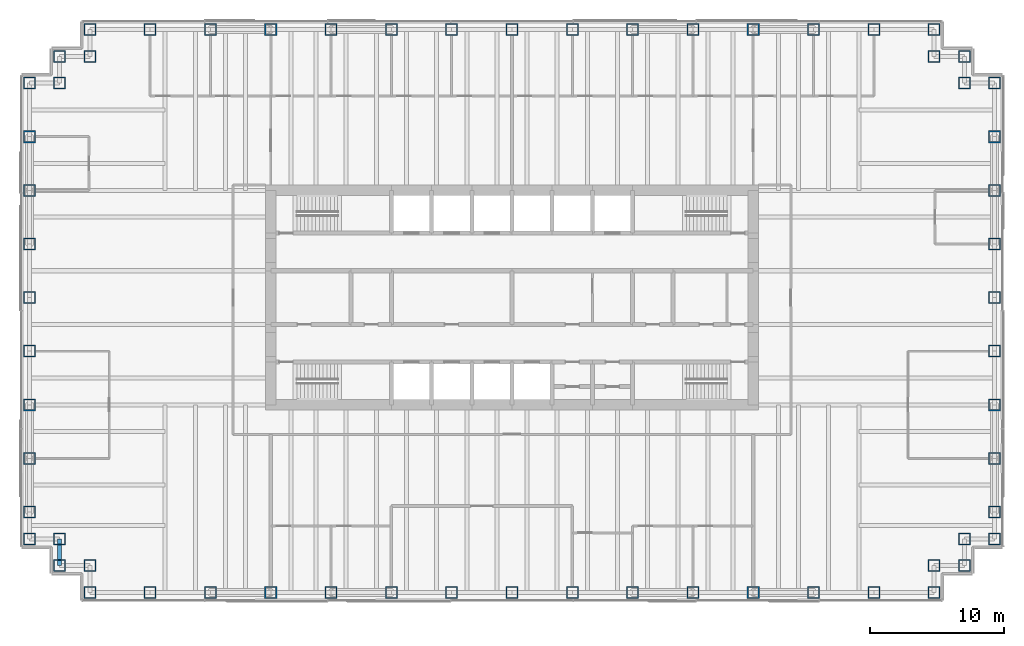
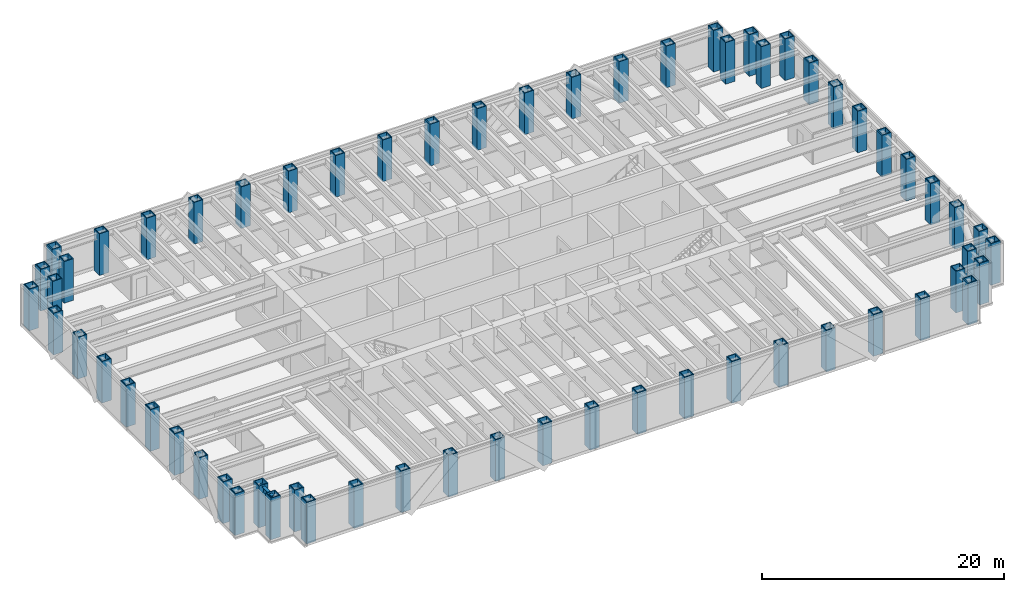
# One storey, part 1 of 17: 62 columns, 1 beam.
"""IFC4 building model written with IfcOpenShell, lengths in metres."""

from ifc_helpers import new_model, si_unit, direction, frame, origin, origin_2d, place, context, subcontext, project, spatial, hollow_rectangle, i_section, extrude, material, material_profile, profile_set, type_object, element, save


model = new_model("IFC4")

# Units and contexts
model_context = context("Model", 3, precision=1e-05, world=origin(), true_north=direction((0.0, 1.0)))
body_context = subcontext(model_context, "Body", "Model", "MODEL_VIEW")
ifc_project = project(units=[si_unit("LENGTHUNIT", "METRE"), si_unit("AREAUNIT", "SQUARE_METRE"), si_unit("VOLUMEUNIT", "CUBIC_METRE"), si_unit("PLANEANGLEUNIT", "RADIAN"), si_unit("MASSUNIT", "GRAM", prefix="KILO")], contexts=[model_context])

# Site, building, storey
site_placement = place(None, origin())
site = spatial("IfcSite", under=ifc_project, at=site_placement, CompositionType="ELEMENT")
building_placement = place(site_placement, origin())
building = spatial("IfcBuilding", under=site, at=building_placement, Name="Rheinbord Bourse Tower", CompositionType="ELEMENT")
storey_placement = place(building_placement, frame((0.0, 0.0, 223.60009765625)))
storey = spatial("IfcBuildingStorey", under=building, at=storey_placement, Name="L50", CompositionType="ELEMENT", Elevation=223.60009765625)

# Columns
ifc_material_1 = material(Name="Steel S460M", Category="steel")
ifc_material_profile_1 = material_profile(ifc_material_1, hollow_rectangle(XDim=0.89990234375, YDim=0.89990234375, WallThickness=0.080078125, at=origin_2d()), Name="BOX 900x900x80")
ifc_profile_set_1 = profile_set([ifc_material_profile_1], Name="Steel S460M")
column_type = type_object("IfcColumnType", Name="TUBE COLUMN BOX 900x900x80", PredefinedType="COLUMN", material=ifc_profile_set_1)
for number, where, z_axis, x_axis, name in (
    (1, (4.5, 2.0, 0.0), (0.0, 0.0, 1.0), (0.0, 1.0, 0.0), "Column SW-E L50"),
    (2, (9.0, 2.0, 0.0), (0.0, 0.0, 1.0), (0.0, 1.0, 0.0), "Column S-9 L50"),
    (3, (13.5, 2.0, 0.0), (0.0, 0.0, 1.0), (0.0, 1.0, 0.0), "Column S-13.5 L50"),
    (4, (18.0, 2.0, 0.0), (0.0, 0.0, 1.0), (0.0, 1.0, 0.0), "Column S-18 L50"),
    (5, (22.5, 2.0, 0.0), (0.0, 0.0, 1.0), (0.0, 1.0, 0.0), "Column S-22.5 L50"),
    (6, (27.0, 2.0, 0.0), (0.0, 0.0, 1.0), (0.0, 1.0, 0.0), "Column S-27 L50"),
    (7, (31.5, 2.0, 0.0), (0.0, 0.0, 1.0), (0.0, 1.0, 0.0), "Column S-31.5 L50"),
    (8, (36.0, 2.0, 0.0), (0.0, 0.0, 1.0), (0.0, 1.0, 0.0), "Column S-36 L50"),
    (9, (40.5, 2.0, 0.0), (0.0, 0.0, 1.0), (0.0, 1.0, 0.0), "Column S-40.5 L50"),
    (10, (45.0, 2.0, 0.0), (0.0, 0.0, 1.0), (0.0, 1.0, 0.0), "Column S-45 L50"),
    (11, (49.5, 2.0, 0.0), (0.0, 0.0, 1.0), (0.0, 1.0, 0.0), "Column S-49.5 L50"),
    (12, (54.0, 2.0, 0.0), (0.0, 0.0, 1.0), (0.0, 1.0, 0.0), "Column S-54 L50"),
    (13, (58.5, 2.0, 0.0), (0.0, 0.0, 1.0), (0.0, 1.0, 0.0), "Column S-58.5 L50"),
    (14, (63.0, 2.0, 0.0), (0.0, 0.0, 1.0), (0.0, 1.0, 0.0), "Column S-63 L50"),
    (15, (67.5, 2.0, 0.0), (0.0, 0.0, 1.0), (0.0, 1.0, 0.0), "Column SE-E L50"),
    (16, (67.5, 4.0, 0.0), (0.0, 0.0, 1.0), (0.0, 1.0, 0.0), "Column SE-D L50"),
    (17, (69.75, 4.0, 0.0), (0.0, 0.0, 1.0), (1.0, 0.0, 0.0), "Column SE-C L50"),
    (18, (69.75, 6.0, 0.0), (0.0, 0.0, 1.0), (1.0, 0.0, 0.0), "Column SE-B L50"),
    (19, (72.0, 6.0, 0.0), (0.0, 0.0, 1.0), (1.0, 0.0, 0.0), "Column SE-A L50"),
    (20, (72.0, 8.0, 0.0), (0.0, 0.0, 1.0), (1.0, 0.0, 0.0), "Column E-8 L50"),
    (21, (72.0, 12.0, 0.0), (0.0, 0.0, 1.0), (1.0, 0.0, 0.0), "Column E-12 L50"),
    (22, (72.0, 16.0, 0.0), (0.0, 0.0, 1.0), (1.0, 0.0, 0.0), "Column E-16 L50"),
    (23, (72.0, 20.0, 0.0), (0.0, 0.0, 1.0), (1.0, 0.0, 0.0), "Column E-20 L50"),
    (24, (72.0, 24.0, 0.0), (0.0, 0.0, 1.0), (1.0, 0.0, 0.0), "Column E-24 L50"),
    (25, (72.0, 28.0, 0.0), (0.0, 0.0, 1.0), (1.0, 0.0, 0.0), "Column E-28 L50"),
    (26, (72.0, 32.0, 0.0), (0.0, 0.0, 1.0), (1.0, 0.0, 0.0), "Column E-32 L50"),
    (27, (72.0, 36.0, 0.0), (0.0, 0.0, 1.0), (1.0, 0.0, 0.0), "Column E-36 L50"),
    (28, (72.0, 40.0, 0.0), (0.0, 0.0, 1.0), (1.0, 0.0, 0.0), "Column NE-A L50"),
    (29, (69.75, 40.0, 0.0), (0.0, 0.0, 1.0), (1.0, 0.0, 0.0), "Column NE-B L50"),
    (30, (69.75, 42.0, 0.0), (0.0, 0.0, 1.0), (1.0, 0.0, 0.0), "Column NE-C L50"),
    (31, (67.5, 42.0, 0.0), (0.0, 0.0, 1.0), (0.0, 1.0, 0.0), "Column NE-D L50"),
    (32, (67.5, 44.0, 0.0), (0.0, 0.0, 1.0), (0.0, 1.0, 0.0), "Column NE-E L50"),
    (33, (63.0, 44.0, 0.0), (0.0, 0.0, 1.0), (0.0, 1.0, 0.0), "Column N-63 L50"),
    (34, (58.5, 44.0, 0.0), (0.0, 0.0, 1.0), (0.0, 1.0, 0.0), "Column N-58.5 L50"),
    (35, (54.0, 44.0, 0.0), (0.0, 0.0, 1.0), (0.0, 1.0, 0.0), "Column N-54 L50"),
    (36, (49.5, 44.0, 0.0), (0.0, 0.0, 1.0), (0.0, 1.0, 0.0), "Column N-49.5 L50"),
    (37, (45.0, 44.0, 0.0), (0.0, 0.0, 1.0), (0.0, 1.0, 0.0), "Column N-45 L50"),
    (38, (40.5, 44.0, 0.0), (0.0, 0.0, 1.0), (0.0, 1.0, 0.0), "Column N-40.5 L50"),
    (39, (36.0, 44.0, 0.0), (0.0, 0.0, 1.0), (0.0, 1.0, 0.0), "Column N-36 L50"),
    (40, (31.5, 44.0, 0.0), (0.0, 0.0, 1.0), (0.0, 1.0, 0.0), "Column N-31.5 L50"),
    (41, (27.0, 44.0, 0.0), (0.0, 0.0, 1.0), (0.0, 1.0, 0.0), "Column N-27 L50"),
    (42, (22.5, 44.0, 0.0), (0.0, 0.0, 1.0), (0.0, 1.0, 0.0), "Column N-22.5 L50"),
    (43, (18.0, 44.0, 0.0), (0.0, 0.0, 1.0), (0.0, 1.0, 0.0), "Column N-18 L50"),
    (44, (13.5, 44.0, 0.0), (0.0, 0.0, 1.0), (0.0, 1.0, 0.0), "Column N-13.5 L50"),
    (45, (9.0, 44.0, 0.0), (0.0, 0.0, 1.0), (0.0, 1.0, 0.0), "Column N-9 L50"),
    (46, (4.5, 44.0, 0.0), (0.0, 0.0, 1.0), (0.0, 1.0, 0.0), "Column NW-E L50"),
    (47, (4.5, 42.0, 0.0), (0.0, 0.0, 1.0), (0.0, 1.0, 0.0), "Column NW-D L50"),
    (48, (2.25, 42.0, 0.0), (0.0, 0.0, 1.0), (1.0, 0.0, 0.0), "Column NW-C L50"),
    (49, (2.25, 40.0, 0.0), (0.0, 0.0, 1.0), (1.0, 0.0, 0.0), "Column NW-B L50"),
    (50, (0.0, 40.0, 0.0), (0.0, 0.0, 1.0), (1.0, 0.0, 0.0), "Column NW-A L50"),
    (51, (0.0, 36.0, 0.0), (0.0, 0.0, 1.0), (1.0, 0.0, 0.0), "Column W-36 L50"),
    (52, (0.0, 32.0, 0.0), (0.0, 0.0, 1.0), (1.0, 0.0, 0.0), "Column W-32 L50"),
    (53, (0.0, 28.0, 0.0), (0.0, 0.0, 1.0), (1.0, 0.0, 0.0), "Column W-28 L50"),
    (54, (0.0, 24.0, 0.0), (0.0, 0.0, 1.0), (1.0, 0.0, 0.0), "Column W-24 L50"),
    (55, (0.0, 20.0, 0.0), (0.0, 0.0, 1.0), (1.0, 0.0, 0.0), "Column W-20 L50"),
    (56, (0.0, 16.0, 0.0), (0.0, 0.0, 1.0), (1.0, 0.0, 0.0), "Column W-16 L50"),
    (57, (0.0, 12.0, 0.0), (0.0, 0.0, 1.0), (1.0, 0.0, 0.0), "Column W-12 L50"),
    (58, (0.0, 8.0, 0.0), (0.0, 0.0, 1.0), (1.0, 0.0, 0.0), "Column W-8 L50"),
    (59, (0.0, 6.0, 0.0), (0.0, 0.0, 1.0), (1.0, 0.0, 0.0), "Column SW-A L50"),
    (60, (2.25, 6.0, 0.0), (0.0, 0.0, 1.0), (1.0, 0.0, 0.0), "Column SW-B L50"),
    (61, (2.25, 4.0, 0.0), (0.0, 0.0, 1.0), (1.0, 0.0, 0.0), "Column SW-C L50"),
    (62, (4.5, 4.0, 0.0), (0.0, 0.0, 1.0), (0.0, 1.0, 0.0), "Column SW-D L50"),
):
    element("IfcColumn", number, at=place(storey_placement, frame(where, z_axis=z_axis, x_axis=x_axis)), inside=storey, type_object=column_type, Name=name, PredefinedType="COLUMN", context=body_context, shape_type="SweptSolid", body=[
        extrude(hollow_rectangle(XDim=0.89990234375, YDim=0.89990234375, WallThickness=0.080078125, at=origin_2d()), origin(), (0.0, 0.0, 1.0), 4.199951171875),
    ])

# Beam
ifc_material_2 = material(Name="Steel S460", Category="steel")
ifc_material_profile_2 = material_profile(ifc_material_2, i_section(OverallWidth=0.300048828125, OverallDepth=0.60009765625, WebThickness=0.015380859375, FlangeThickness=0.030029296875, at=origin_2d()), Name="HEB 600")
ifc_profile_set_2 = profile_set([ifc_material_profile_2], Name="Steel S460")
beam_type = type_object("IfcBeamType", Name="SPANDREL HEB 600", PredefinedType="SPANDREL", material=ifc_profile_set_2)
beam_placement = place(storey_placement, frame((2.25, 6.0, 3.739990234375), z_axis=(0.0, -1.0, 0.0), x_axis=(1.0, 0.0, 0.0)))
element("IfcBeam", 63, at=beam_placement, inside=storey, type_object=beam_type, Name="Spandrel SW-B-SW-C under L51", PredefinedType="SPANDREL", context=body_context, shape_type="SweptSolid", body=[
    extrude(i_section(OverallWidth=0.300048828125, OverallDepth=0.60009765625, WebThickness=0.015380859375, FlangeThickness=0.030029296875, at=origin_2d()), origin(), (0.0, 0.0, 1.0), 2.0),
])

save(model, "model.ifc")
